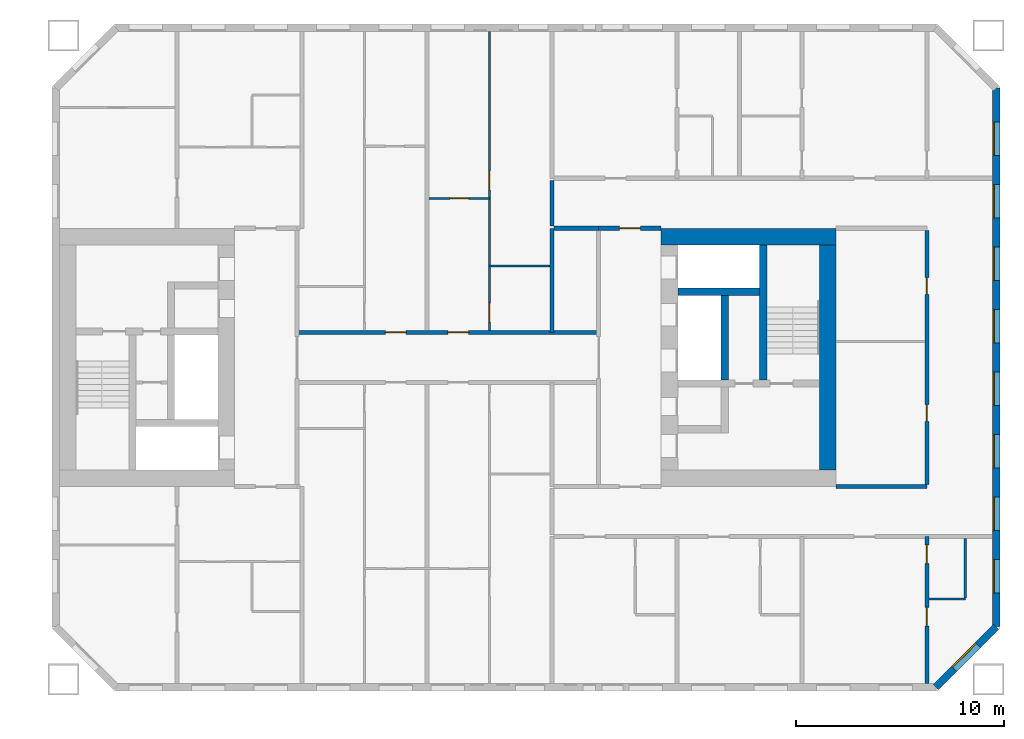
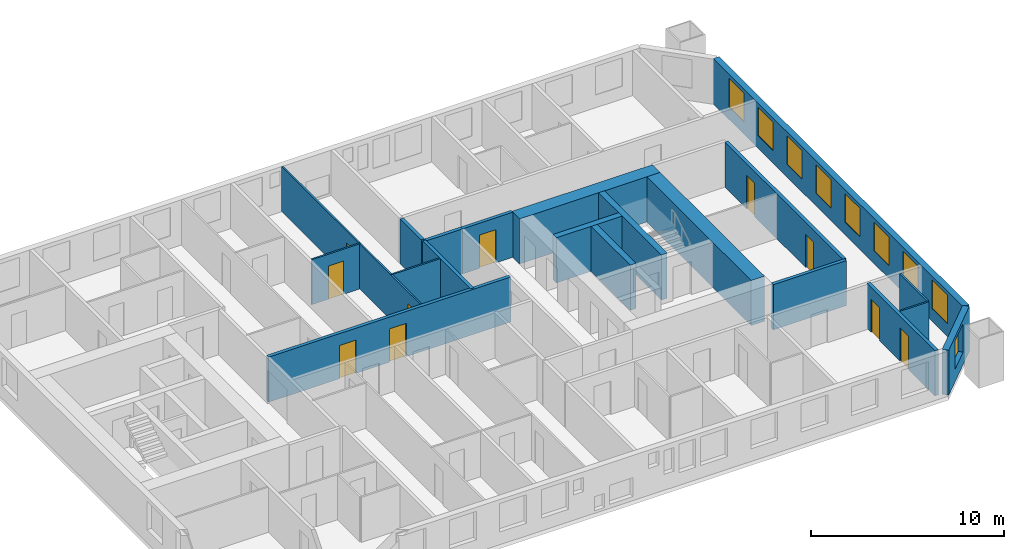
# One storey, part 12 of 16: 20 walls, 10 doors, 9 windows, 19 openings.
"""IFC4 building model written with IfcOpenShell, lengths in metres."""

from ifc_helpers import new_model, si_unit, direction, frame, frame_2d, origin, place, context, subcontext, project, spatial, rectangle, extrude, material, layer, layer_set, type_object, element, fill, save


model = new_model("IFC4")

# Units and contexts
model_context = context("Model", 3, precision=1e-05, world=origin(), true_north=direction((0.0, 1.0)))
body_context = subcontext(model_context, "Body", "Model", "MODEL_VIEW")
ifc_project = project(units=[si_unit("LENGTHUNIT", "METRE"), si_unit("AREAUNIT", "SQUARE_METRE"), si_unit("VOLUMEUNIT", "CUBIC_METRE"), si_unit("PLANEANGLEUNIT", "RADIAN"), si_unit("MASSUNIT", "GRAM", prefix="KILO")], contexts=[model_context])

# Site, building, storey
site_placement = place(None, origin())
site = spatial("IfcSite", under=ifc_project, at=site_placement, CompositionType="ELEMENT")
building_placement = place(site_placement, origin())
building = spatial("IfcBuilding", under=site, at=building_placement, Name="Tuart Gate Housing", CompositionType="ELEMENT")
storey_placement = place(building_placement, frame((0.0, 0.0, 59.800048828125)))
storey = spatial("IfcBuildingStorey", under=building, at=storey_placement, Name="L16", CompositionType="ELEMENT", Elevation=59.800048828125)

# Wall, opening, window
ifc_material_1 = material(Name="Brick", Category="masonry")
ifc_layer_1 = layer(ifc_material_1, 0.360107421875)
ifc_layer_set_1 = layer_set([ifc_layer_1], Name="Brick pier and spandrel wall 360")
wall_type_1 = type_object("IfcWallType", Name="Brick pier and spandrel wall 360", PredefinedType="STANDARD", material=ifc_layer_set_1)
wall_1_placement = place(storey_placement, frame((173.42529296875, 54.179931640625, 0.0), z_axis=(0.0, 0.0, 1.0), x_axis=(0.707106781187, 0.707106781187, 0.0)))
wall_1 = element("IfcWall", 1, at=wall_1_placement, inside=storey, type_object=wall_type_1, Name="External wall B-SE L16", PredefinedType="STANDARD", context=body_context, shape_type="SweptSolid", body=[
    extrude(rectangle(XDim=4.09375, YDim=0.360107421875, at=frame_2d((2.046875, 0.0))), origin(), (0.0, 0.0, 1.0), 2.849853515625),
])
opening_1_placement = place(wall_1_placement, frame((1.2470703125, 0.0, 0.800048828125)))
opening_1 = element("IfcOpeningElement", 2, at=opening_1_placement, cuts=wall_1, Name="Opening W1", PredefinedType="OPENING", context=body_context, shape_type="SweptSolid", body=[
    extrude(rectangle(XDim=1.60009765625, YDim=1.800048828125, at=frame_2d((0.800048828125, 0.89990234375))), frame((0.0, 0.18994140625, 0.0), z_axis=(0.0, -1.0, 0.0), x_axis=(1.0, 0.0, 0.0)), (0.0, 0.0, 1.0), 0.380126953125),
])
ifc_material_2 = material(Name="Aluminium frame with clear glass", Category="aluminium")
window_type = type_object("IfcWindowType", Name="Punched window 1600 x 1800", PartitioningType="SINGLE_PANEL", PredefinedType="WINDOW", material=ifc_material_2)
window_1_placement = place(opening_1_placement, origin())
window_1 = element("IfcWindow", 3, at=window_1_placement, inside=storey, type_object=window_type, Name="Window W1", OverallHeight=1.800048828125, OverallWidth=1.60009765625, PartitioningType="SINGLE_PANEL", PredefinedType="WINDOW", context=body_context, shape_type="SweptSolid", body=[
    extrude(rectangle(XDim=1.60009765625, YDim=1.800048828125, at=frame_2d((0.800048828125, 0.89990234375))), frame((0.0, 0.150146484375, 0.0), z_axis=(0.0, -1.0, 0.0), x_axis=(1.0, 0.0, 0.0)), (0.0, 0.0, 1.0), 0.06005859375),
])
fill(opening_1, window_1)

# Wall, openings, windows
wall_2_placement = place(storey_placement, frame((176.320068359375, 57.07470703125, 0.0), z_axis=(0.0, 0.0, 1.0), x_axis=(0.0, 1.0, 0.0)))
wall_2 = element("IfcWall", 4, at=wall_2_placement, inside=storey, type_object=wall_type_1, Name="External wall B-E L16", PredefinedType="STANDARD", context=body_context, shape_type="SweptSolid", body=[
    extrude(rectangle(XDim=25.850830078125, YDim=0.360107421875, at=frame_2d((12.92529296875, 0.0))), origin(), (0.0, 0.0, 1.0), 2.849853515625),
])
opening_2_placement = place(wall_2_placement, frame((1.62548828125, 0.0, 0.800048828125)))
opening_2 = element("IfcOpeningElement", 5, at=opening_2_placement, cuts=wall_2, Name="Opening W1", PredefinedType="OPENING", context=body_context, shape_type="SweptSolid", body=[
    extrude(rectangle(XDim=1.60009765625, YDim=1.800048828125, at=frame_2d((0.800048828125, 0.89990234375))), frame((0.0, 0.18994140625, 0.0), z_axis=(0.0, -1.0, 0.0), x_axis=(1.0, 0.0, 0.0)), (0.0, 0.0, 1.0), 0.380126953125),
])
opening_3_placement = place(wall_2_placement, frame((4.62548828125, 0.0, 0.800048828125)))
opening_3 = element("IfcOpeningElement", 6, at=opening_3_placement, cuts=wall_2, Name="Opening W1", PredefinedType="OPENING", context=body_context, shape_type="SweptSolid", body=[
    extrude(rectangle(XDim=1.60009765625, YDim=1.800048828125, at=frame_2d((0.800048828125, 0.89990234375))), frame((0.0, 0.18994140625, 0.0), z_axis=(0.0, -1.0, 0.0), x_axis=(1.0, 0.0, 0.0)), (0.0, 0.0, 1.0), 0.380126953125),
])
opening_4_placement = place(wall_2_placement, frame((7.62548828125, 0.0, 0.800048828125)))
opening_4 = element("IfcOpeningElement", 7, at=opening_4_placement, cuts=wall_2, Name="Opening W1", PredefinedType="OPENING", context=body_context, shape_type="SweptSolid", body=[
    extrude(rectangle(XDim=1.60009765625, YDim=1.800048828125, at=frame_2d((0.800048828125, 0.89990234375))), frame((0.0, 0.18994140625, 0.0), z_axis=(0.0, -1.0, 0.0), x_axis=(1.0, 0.0, 0.0)), (0.0, 0.0, 1.0), 0.380126953125),
])
opening_5_placement = place(wall_2_placement, frame((10.62548828125, 0.0, 0.800048828125)))
opening_5 = element("IfcOpeningElement", 8, at=opening_5_placement, cuts=wall_2, Name="Opening W1", PredefinedType="OPENING", context=body_context, shape_type="SweptSolid", body=[
    extrude(rectangle(XDim=1.60009765625, YDim=1.800048828125, at=frame_2d((0.800048828125, 0.89990234375))), frame((0.0, 0.18994140625, 0.0), z_axis=(0.0, -1.0, 0.0), x_axis=(1.0, 0.0, 0.0)), (0.0, 0.0, 1.0), 0.380126953125),
])
opening_6_placement = place(wall_2_placement, frame((13.62548828125, 0.0, 0.800048828125)))
opening_6 = element("IfcOpeningElement", 9, at=opening_6_placement, cuts=wall_2, Name="Opening W1", PredefinedType="OPENING", context=body_context, shape_type="SweptSolid", body=[
    extrude(rectangle(XDim=1.60009765625, YDim=1.800048828125, at=frame_2d((0.800048828125, 0.89990234375))), frame((0.0, 0.18994140625, 0.0), z_axis=(0.0, -1.0, 0.0), x_axis=(1.0, 0.0, 0.0)), (0.0, 0.0, 1.0), 0.380126953125),
])
opening_7_placement = place(wall_2_placement, frame((16.62548828125, 0.0, 0.800048828125)))
opening_7 = element("IfcOpeningElement", 10, at=opening_7_placement, cuts=wall_2, Name="Opening W1", PredefinedType="OPENING", context=body_context, shape_type="SweptSolid", body=[
    extrude(rectangle(XDim=1.60009765625, YDim=1.800048828125, at=frame_2d((0.800048828125, 0.89990234375))), frame((0.0, 0.18994140625, 0.0), z_axis=(0.0, -1.0, 0.0), x_axis=(1.0, 0.0, 0.0)), (0.0, 0.0, 1.0), 0.380126953125),
])
opening_8_placement = place(wall_2_placement, frame((19.62548828125, 0.0, 0.800048828125)))
opening_8 = element("IfcOpeningElement", 11, at=opening_8_placement, cuts=wall_2, Name="Opening W1", PredefinedType="OPENING", context=body_context, shape_type="SweptSolid", body=[
    extrude(rectangle(XDim=1.60009765625, YDim=1.800048828125, at=frame_2d((0.800048828125, 0.89990234375))), frame((0.0, 0.18994140625, 0.0), z_axis=(0.0, -1.0, 0.0), x_axis=(1.0, 0.0, 0.0)), (0.0, 0.0, 1.0), 0.380126953125),
])
opening_9_placement = place(wall_2_placement, frame((22.62548828125, 0.0, 0.800048828125)))
opening_9 = element("IfcOpeningElement", 12, at=opening_9_placement, cuts=wall_2, Name="Opening W1", PredefinedType="OPENING", context=body_context, shape_type="SweptSolid", body=[
    extrude(rectangle(XDim=1.60009765625, YDim=1.800048828125, at=frame_2d((0.800048828125, 0.89990234375))), frame((0.0, 0.18994140625, 0.0), z_axis=(0.0, -1.0, 0.0), x_axis=(1.0, 0.0, 0.0)), (0.0, 0.0, 1.0), 0.380126953125),
])
window_2_placement = place(opening_2_placement, origin())
window_2 = element("IfcWindow", 13, at=window_2_placement, inside=storey, type_object=window_type, Name="Window W1", OverallHeight=1.800048828125, OverallWidth=1.60009765625, PartitioningType="SINGLE_PANEL", PredefinedType="WINDOW", context=body_context, shape_type="SweptSolid", body=[
    extrude(rectangle(XDim=1.60009765625, YDim=1.800048828125, at=frame_2d((0.800048828125, 0.89990234375))), frame((0.0, 0.150146484375, 0.0), z_axis=(0.0, -1.0, 0.0), x_axis=(1.0, 0.0, 0.0)), (0.0, 0.0, 1.0), 0.06005859375),
])
fill(opening_2, window_2)
window_3_placement = place(opening_3_placement, origin())
window_3 = element("IfcWindow", 14, at=window_3_placement, inside=storey, type_object=window_type, Name="Window W1", OverallHeight=1.800048828125, OverallWidth=1.60009765625, PartitioningType="SINGLE_PANEL", PredefinedType="WINDOW", context=body_context, shape_type="SweptSolid", body=[
    extrude(rectangle(XDim=1.60009765625, YDim=1.800048828125, at=frame_2d((0.800048828125, 0.89990234375))), frame((0.0, 0.150146484375, 0.0), z_axis=(0.0, -1.0, 0.0), x_axis=(1.0, 0.0, 0.0)), (0.0, 0.0, 1.0), 0.06005859375),
])
fill(opening_3, window_3)
window_4_placement = place(opening_4_placement, origin())
window_4 = element("IfcWindow", 15, at=window_4_placement, inside=storey, type_object=window_type, Name="Window W1", OverallHeight=1.800048828125, OverallWidth=1.60009765625, PartitioningType="SINGLE_PANEL", PredefinedType="WINDOW", context=body_context, shape_type="SweptSolid", body=[
    extrude(rectangle(XDim=1.60009765625, YDim=1.800048828125, at=frame_2d((0.800048828125, 0.89990234375))), frame((0.0, 0.150146484375, 0.0), z_axis=(0.0, -1.0, 0.0), x_axis=(1.0, 0.0, 0.0)), (0.0, 0.0, 1.0), 0.06005859375),
])
fill(opening_4, window_4)
window_5_placement = place(opening_5_placement, origin())
window_5 = element("IfcWindow", 16, at=window_5_placement, inside=storey, type_object=window_type, Name="Window W1", OverallHeight=1.800048828125, OverallWidth=1.60009765625, PartitioningType="SINGLE_PANEL", PredefinedType="WINDOW", context=body_context, shape_type="SweptSolid", body=[
    extrude(rectangle(XDim=1.60009765625, YDim=1.800048828125, at=frame_2d((0.800048828125, 0.89990234375))), frame((0.0, 0.150146484375, 0.0), z_axis=(0.0, -1.0, 0.0), x_axis=(1.0, 0.0, 0.0)), (0.0, 0.0, 1.0), 0.06005859375),
])
fill(opening_5, window_5)
window_6_placement = place(opening_6_placement, origin())
window_6 = element("IfcWindow", 17, at=window_6_placement, inside=storey, type_object=window_type, Name="Window W1", OverallHeight=1.800048828125, OverallWidth=1.60009765625, PartitioningType="SINGLE_PANEL", PredefinedType="WINDOW", context=body_context, shape_type="SweptSolid", body=[
    extrude(rectangle(XDim=1.60009765625, YDim=1.800048828125, at=frame_2d((0.800048828125, 0.89990234375))), frame((0.0, 0.150146484375, 0.0), z_axis=(0.0, -1.0, 0.0), x_axis=(1.0, 0.0, 0.0)), (0.0, 0.0, 1.0), 0.06005859375),
])
fill(opening_6, window_6)
window_7_placement = place(opening_7_placement, origin())
window_7 = element("IfcWindow", 18, at=window_7_placement, inside=storey, type_object=window_type, Name="Window W1", OverallHeight=1.800048828125, OverallWidth=1.60009765625, PartitioningType="SINGLE_PANEL", PredefinedType="WINDOW", context=body_context, shape_type="SweptSolid", body=[
    extrude(rectangle(XDim=1.60009765625, YDim=1.800048828125, at=frame_2d((0.800048828125, 0.89990234375))), frame((0.0, 0.150146484375, 0.0), z_axis=(0.0, -1.0, 0.0), x_axis=(1.0, 0.0, 0.0)), (0.0, 0.0, 1.0), 0.06005859375),
])
fill(opening_7, window_7)
window_8_placement = place(opening_8_placement, origin())
window_8 = element("IfcWindow", 19, at=window_8_placement, inside=storey, type_object=window_type, Name="Window W1", OverallHeight=1.800048828125, OverallWidth=1.60009765625, PartitioningType="SINGLE_PANEL", PredefinedType="WINDOW", context=body_context, shape_type="SweptSolid", body=[
    extrude(rectangle(XDim=1.60009765625, YDim=1.800048828125, at=frame_2d((0.800048828125, 0.89990234375))), frame((0.0, 0.150146484375, 0.0), z_axis=(0.0, -1.0, 0.0), x_axis=(1.0, 0.0, 0.0)), (0.0, 0.0, 1.0), 0.06005859375),
])
fill(opening_8, window_8)
window_9_placement = place(opening_9_placement, origin())
window_9 = element("IfcWindow", 20, at=window_9_placement, inside=storey, type_object=window_type, Name="Window W1", OverallHeight=1.800048828125, OverallWidth=1.60009765625, PartitioningType="SINGLE_PANEL", PredefinedType="WINDOW", context=body_context, shape_type="SweptSolid", body=[
    extrude(rectangle(XDim=1.60009765625, YDim=1.800048828125, at=frame_2d((0.800048828125, 0.89990234375))), frame((0.0, 0.150146484375, 0.0), z_axis=(0.0, -1.0, 0.0), x_axis=(1.0, 0.0, 0.0)), (0.0, 0.0, 1.0), 0.06005859375),
])
fill(opening_9, window_9)

# Walls
ifc_material_3 = material(Name="Concrete C60", Category="concrete")
ifc_layer_2 = layer(ifc_material_3, 0.35009765625)
ifc_layer_set_2 = layer_set([ifc_layer_2], Name="Core wall 350 C60")
wall_type_2 = type_object("IfcWallType", Name="Core wall 350 C60", PredefinedType="SHEAR", material=ifc_layer_set_2)
wall_3_placement = place(storey_placement, frame((161.0400390625, 73.14990234375, 0.0), z_axis=(0.0, 0.0, 1.0), x_axis=(1.0, 0.0, 0.0)))
element("IfcWall", 21, at=wall_3_placement, inside=storey, type_object=wall_type_2, Name="Core wall BK.1", PredefinedType="SHEAR", context=body_context, shape_type="SweptSolid", body=[
    extrude(rectangle(XDim=3.925048828125, YDim=0.35009765625, at=frame_2d((1.96240234375, 0.0))), origin(), (0.0, 0.0, 1.0), 2.849853515625),
])
wall_4_placement = place(storey_placement, frame((163.2900390625, 72.97509765625, 0.0), z_axis=(0.0, 0.0, 1.0), x_axis=(0.0, -1.0, 0.0)))
element("IfcWall", 22, at=wall_4_placement, inside=storey, type_object=wall_type_2, Name="Core wall BK.4", PredefinedType="SHEAR", context=body_context, shape_type="SweptSolid", body=[
    extrude(rectangle(XDim=4.050048828125, YDim=0.35009765625, at=frame_2d((2.02490234375, 0.0))), origin(), (0.0, 0.0, 1.0), 2.849853515625),
])
wall_5_placement = place(storey_placement, frame((165.139892578125, 75.39990234375, 0.0), z_axis=(0.0, 0.0, 1.0), x_axis=(0.0, -1.0, 0.0)))
element("IfcWall", 23, at=wall_5_placement, inside=storey, type_object=wall_type_2, Name="Core wall BK.6", PredefinedType="SHEAR", context=body_context, shape_type="SweptSolid", body=[
    extrude(rectangle(XDim=6.474853515625, YDim=0.35009765625, at=frame_2d((3.2373046875, 0.0))), origin(), (0.0, 0.0, 1.0), 2.849853515625),
])
ifc_material_4 = material(Name="Concrete C60", Category="concrete")
ifc_layer_3 = layer(ifc_material_4, 0.800048828125)
ifc_layer_set_3 = layer_set([ifc_layer_3], Name="Core wall 800 C60")
wall_type_3 = type_object("IfcWallType", Name="Core wall 800 C60", PredefinedType="SHEAR", material=ifc_layer_set_3)
wall_6_placement = place(storey_placement, frame((168.239990234375, 75.39990234375, 0.0), z_axis=(0.0, 0.0, 1.0), x_axis=(0.0, -1.0, 0.0)))
element("IfcWall", 24, at=wall_6_placement, inside=storey, type_object=wall_type_3, Name="Core wall BK back", PredefinedType="SHEAR", context=body_context, shape_type="SweptSolid", body=[
    extrude(rectangle(XDim=10.7998046875, YDim=0.800048828125, at=frame_2d((5.39990234375, 0.0))), origin(), (0.0, 0.0, 1.0), 2.849853515625),
])
wall_7_placement = place(storey_placement, frame((160.239990234375, 75.800048828125, 0.0), z_axis=(0.0, 0.0, 1.0), x_axis=(1.0, 0.0, 0.0)))
element("IfcWall", 25, at=wall_7_placement, inside=storey, type_object=wall_type_3, Name="Core wall BK south", PredefinedType="SHEAR", context=body_context, shape_type="SweptSolid", body=[
    extrude(rectangle(XDim=8.39990234375, YDim=0.800048828125, at=frame_2d((4.199951171875, 0.0))), origin(), (0.0, 0.0, 1.0), 2.849853515625),
])
ifc_material_5 = material(Name="Concrete masonry 15 MPa", Category="masonry")
ifc_layer_4 = layer(ifc_material_5, 0.199951171875)
ifc_layer_set_4 = layer_set([ifc_layer_4], Name="Corridor wall masonry 200")
wall_type_4 = type_object("IfcWallType", Name="Corridor wall masonry 200", PredefinedType="PARTITIONING", material=ifc_layer_set_4)
wall_8_placement = place(storey_placement, frame((168.639892578125, 63.800048828125, 0.0), z_axis=(0.0, 0.0, 1.0), x_axis=(1.0, 0.0, 0.0)))
element("IfcWall", 26, at=wall_8_placement, inside=storey, type_object=wall_type_4, Name="Corridor wall masonry 200", PredefinedType="PARTITIONING", context=body_context, shape_type="SweptSolid", body=[
    extrude(rectangle(XDim=4.360107421875, YDim=0.199951171875, at=frame_2d((2.18017578125, 0.0))), origin(), (0.0, 0.0, 1.0), 2.849853515625),
])

# Wall, openings, doors
wall_9_placement = place(storey_placement, frame((142.760009765625, 71.199951171875, 0.0), z_axis=(0.0, 0.0, 1.0), x_axis=(1.0, 0.0, 0.0)))
wall_9 = element("IfcWall", 27, at=wall_9_placement, inside=storey, type_object=wall_type_4, Name="Corridor wall masonry 200", PredefinedType="PARTITIONING", context=body_context, shape_type="SweptSolid", body=[
    extrude(rectangle(XDim=14.47998046875, YDim=0.199951171875, at=frame_2d((7.239990234375, 0.0))), origin(), (0.0, 0.0, 1.0), 2.849853515625),
])
opening_10_placement = place(wall_9_placement, frame((4.239990234375, 0.0, 0.0)))
opening_10 = element("IfcOpeningElement", 28, at=opening_10_placement, cuts=wall_9, Name="Opening D799", PredefinedType="OPENING", context=body_context, shape_type="SweptSolid", body=[
    extrude(rectangle(XDim=1.0, YDim=2.10009765625, at=frame_2d((0.5, 1.050048828125))), frame((0.0, 0.10986328125, 0.0), z_axis=(0.0, -1.0, 0.0), x_axis=(1.0, 0.0, 0.0)), (0.0, 0.0, 1.0), 0.219970703125),
])
opening_11_placement = place(wall_9_placement, frame((7.239990234375, 0.0, 0.0)))
opening_11 = element("IfcOpeningElement", 29, at=opening_11_placement, cuts=wall_9, Name="Opening D800", PredefinedType="OPENING", context=body_context, shape_type="SweptSolid", body=[
    extrude(rectangle(XDim=1.0, YDim=2.10009765625, at=frame_2d((0.5, 1.050048828125))), frame((0.0, 0.10986328125, 0.0), z_axis=(0.0, -1.0, 0.0), x_axis=(1.0, 0.0, 0.0)), (0.0, 0.0, 1.0), 0.219970703125),
])
ifc_material_6 = material(Name="Timber door leaf in steel frame", Category="steel")
door_type_1 = type_object("IfcDoorType", Name="Flat entrance door 1000", OperationType="SINGLE_SWING_LEFT", PredefinedType="DOOR", material=ifc_material_6)
door_1_placement = place(opening_10_placement, origin())
door_1 = element("IfcDoor", 30, at=door_1_placement, inside=storey, type_object=door_type_1, Name="Flat entrance door", OperationType="SINGLE_SWING_LEFT", OverallHeight=2.10009765625, OverallWidth=1.0, PredefinedType="DOOR", context=body_context, shape_type="SweptSolid", body=[
    extrude(rectangle(XDim=1.0, YDim=2.10009765625, at=frame_2d((0.5, 1.050048828125))), frame((0.0, 0.02490234375, 0.0), z_axis=(0.0, -1.0, 0.0), x_axis=(1.0, 0.0, 0.0)), (0.0, 0.0, 1.0), 0.050048828125),
])
fill(opening_10, door_1)
door_2_placement = place(opening_11_placement, origin())
door_2 = element("IfcDoor", 31, at=door_2_placement, inside=storey, type_object=door_type_1, Name="Flat entrance door", OperationType="SINGLE_SWING_LEFT", OverallHeight=2.10009765625, OverallWidth=1.0, PredefinedType="DOOR", context=body_context, shape_type="SweptSolid", body=[
    extrude(rectangle(XDim=1.0, YDim=2.10009765625, at=frame_2d((0.5, 1.050048828125))), frame((0.0, 0.02490234375, 0.0), z_axis=(0.0, -1.0, 0.0), x_axis=(1.0, 0.0, 0.0)), (0.0, 0.0, 1.0), 0.050048828125),
])
fill(opening_11, door_2)

# Walls
wall_10_placement = place(storey_placement, frame((155.10009765625, 76.199951171875, 0.0), z_axis=(0.0, 0.0, 1.0), x_axis=(1.0, 0.0, 0.0)))
element("IfcWall", 32, at=wall_10_placement, inside=storey, type_object=wall_type_4, Name="Corridor wall masonry 200", PredefinedType="PARTITIONING", context=body_context, shape_type="SweptSolid", body=[
    extrude(rectangle(XDim=2.139892578125, YDim=0.199951171875, at=frame_2d((1.06982421875, 0.0))), origin(), (0.0, 0.0, 1.0), 2.849853515625),
])
wall_11_placement = place(storey_placement, frame((155.0, 76.300048828125, 0.0), z_axis=(0.0, 0.0, 1.0), x_axis=(0.0, 1.0, 0.0)))
element("IfcWall", 33, at=wall_11_placement, inside=storey, type_object=wall_type_4, Name="Corridor wall masonry 200", PredefinedType="PARTITIONING", context=body_context, shape_type="SweptSolid", body=[
    extrude(rectangle(XDim=2.199951171875, YDim=0.199951171875, at=frame_2d((1.10009765625, 0.0))), origin(), (0.0, 0.0, 1.0), 2.849853515625),
])

# Wall, openings, doors
wall_12_placement = place(storey_placement, frame((173.0, 63.89990234375, 0.0), z_axis=(0.0, 0.0, 1.0), x_axis=(0.0, 1.0, 0.0)))
wall_12 = element("IfcWall", 34, at=wall_12_placement, inside=storey, type_object=wall_type_4, Name="Corridor wall masonry 200", PredefinedType="PARTITIONING", context=body_context, shape_type="SweptSolid", body=[
    extrude(rectangle(XDim=12.2001953125, YDim=0.199951171875, at=frame_2d((6.10009765625, 0.0))), origin(), (0.0, 0.0, 1.0), 2.849853515625),
])
opening_12_placement = place(wall_12_placement, frame((3.034912109375, 0.0, 0.0)))
opening_12 = element("IfcOpeningElement", 35, at=opening_12_placement, cuts=wall_12, Name="Opening D807", PredefinedType="OPENING", context=body_context, shape_type="SweptSolid", body=[
    extrude(rectangle(XDim=0.800048828125, YDim=2.10009765625, at=frame_2d((0.39990234375, 1.050048828125))), frame((0.0, 0.10986328125, 0.0), z_axis=(0.0, -1.0, 0.0), x_axis=(1.0, 0.0, 0.0)), (0.0, 0.0, 1.0), 0.219970703125),
])
opening_13_placement = place(wall_12_placement, frame((9.135009765625, 0.0, 0.0)))
opening_13 = element("IfcOpeningElement", 36, at=opening_13_placement, cuts=wall_12, Name="Opening D808", PredefinedType="OPENING", context=body_context, shape_type="SweptSolid", body=[
    extrude(rectangle(XDim=0.800048828125, YDim=2.10009765625, at=frame_2d((0.39990234375, 1.050048828125))), frame((0.0, 0.10986328125, 0.0), z_axis=(0.0, -1.0, 0.0), x_axis=(1.0, 0.0, 0.0)), (0.0, 0.0, 1.0), 0.219970703125),
])
ifc_material_7 = material(Name="Timber door leaf in steel frame", Category="steel")
door_type_2 = type_object("IfcDoorType", Name="Store door 800", OperationType="SINGLE_SWING_LEFT", PredefinedType="DOOR", material=ifc_material_7)
door_3_placement = place(opening_13_placement, origin())
door_3 = element("IfcDoor", 37, at=door_3_placement, inside=storey, type_object=door_type_2, Name="Store door", OperationType="SINGLE_SWING_LEFT", OverallHeight=2.10009765625, OverallWidth=0.800048828125, PredefinedType="DOOR", context=body_context, shape_type="SweptSolid", body=[
    extrude(rectangle(XDim=0.800048828125, YDim=2.10009765625, at=frame_2d((0.39990234375, 1.050048828125))), frame((0.0, 0.02490234375, 0.0), z_axis=(0.0, -1.0, 0.0), x_axis=(1.0, 0.0, 0.0)), (0.0, 0.0, 1.0), 0.050048828125),
])
fill(opening_13, door_3)
ifc_material_8 = material(Name="Timber door leaf in steel frame", Category="steel")
door_type_3 = type_object("IfcDoorType", Name="Store door 800 RH", OperationType="SINGLE_SWING_RIGHT", PredefinedType="DOOR", material=ifc_material_8)
door_4_placement = place(opening_12_placement, origin())
door_4 = element("IfcDoor", 38, at=door_4_placement, inside=storey, type_object=door_type_3, Name="Store door", OperationType="SINGLE_SWING_RIGHT", OverallHeight=2.10009765625, OverallWidth=0.800048828125, PredefinedType="DOOR", context=body_context, shape_type="SweptSolid", body=[
    extrude(rectangle(XDim=0.800048828125, YDim=2.10009765625, at=frame_2d((0.39990234375, 1.050048828125))), frame((0.0, 0.02490234375, 0.0), z_axis=(0.0, -1.0, 0.0), x_axis=(1.0, 0.0, 0.0)), (0.0, 0.0, 1.0), 0.050048828125),
])
fill(opening_12, door_4)

# Wall, opening, door
ifc_material_9 = material(Name="Concrete masonry 15 MPa", Category="masonry")
ifc_layer_5 = layer(ifc_material_9, 0.199951171875)
ifc_layer_set_5 = layer_set([ifc_layer_5], Name="Enclosure wall masonry 200")
wall_type_5 = type_object("IfcWallType", Name="Enclosure wall masonry 200", PredefinedType="PARTITIONING", material=ifc_layer_set_5)
wall_13_placement = place(storey_placement, frame((157.239990234375, 76.199951171875, 0.0), z_axis=(0.0, 0.0, 1.0), x_axis=(1.0, 0.0, 0.0)))
wall_13 = element("IfcWall", 39, at=wall_13_placement, inside=storey, type_object=wall_type_5, Name="Enclosure wall masonry 200", PredefinedType="PARTITIONING", context=body_context, shape_type="SweptSolid", body=[
    extrude(rectangle(XDim=3.0, YDim=0.199951171875, at=frame_2d((1.5, 0.0))), origin(), (0.0, 0.0, 1.0), 2.849853515625),
])
opening_14_placement = place(wall_13_placement, frame((1.0, 0.0, 0.0)))
opening_14 = element("IfcOpeningElement", 40, at=opening_14_placement, cuts=wall_13, Name="Opening D796", PredefinedType="OPENING", context=body_context, shape_type="SweptSolid", body=[
    extrude(rectangle(XDim=1.0, YDim=2.10009765625, at=frame_2d((0.5, 1.050048828125))), frame((0.0, 0.10986328125, 0.0), z_axis=(0.0, -1.0, 0.0), x_axis=(1.0, 0.0, 0.0)), (0.0, 0.0, 1.0), 0.219970703125),
])
ifc_material_10 = material(Name="Timber door leaf in steel frame", Category="steel")
door_type_4 = type_object("IfcDoorType", Name="Fire door 1000", OperationType="SINGLE_SWING_LEFT", PredefinedType="DOOR", material=ifc_material_10)
door_5_placement = place(opening_14_placement, origin())
door_5 = element("IfcDoor", 41, at=door_5_placement, inside=storey, type_object=door_type_4, Name="Fire door", OperationType="SINGLE_SWING_LEFT", OverallHeight=2.10009765625, OverallWidth=1.0, PredefinedType="DOOR", context=body_context, shape_type="SweptSolid", body=[
    extrude(rectangle(XDim=1.0, YDim=2.10009765625, at=frame_2d((0.5, 1.050048828125))), frame((0.0, 0.02490234375, 0.0), z_axis=(0.0, -1.0, 0.0), x_axis=(1.0, 0.0, 0.0)), (0.0, 0.0, 1.0), 0.050048828125),
])
fill(opening_14, door_5)

# Walls
ifc_material_11 = material(Name="Gypsum board on steel studs", Category="steel")
ifc_layer_6 = layer(ifc_material_11, 0.10009765625)
ifc_layer_set_6 = layer_set([ifc_layer_6], Name="Partition 100")
wall_type_6 = type_object("IfcWallType", Name="Partition 100", PredefinedType="PARTITIONING", material=ifc_layer_set_6)
wall_14_placement = place(storey_placement, frame((173.10009765625, 58.39990234375, 0.0), z_axis=(0.0, 0.0, 1.0), x_axis=(1.0, 0.0, 0.0)))
element("IfcWall", 42, at=wall_14_placement, inside=storey, type_object=wall_type_6, Name="Partition 100", PredefinedType="PARTITIONING", context=body_context, shape_type="SweptSolid", body=[
    extrude(rectangle(XDim=1.739990234375, YDim=0.10009765625, at=frame_2d((0.8701171875, 0.0))), origin(), (0.0, 0.0, 1.0), 2.849853515625),
])
wall_15_placement = place(storey_placement, frame((152.0, 74.39990234375, 0.0), z_axis=(0.0, 0.0, 1.0), x_axis=(1.0, 0.0, 0.0)))
element("IfcWall", 43, at=wall_15_placement, inside=storey, type_object=wall_type_6, Name="Partition 100", PredefinedType="PARTITIONING", context=body_context, shape_type="SweptSolid", body=[
    extrude(rectangle(XDim=2.89990234375, YDim=0.10009765625, at=frame_2d((1.449951171875, 0.0))), origin(), (0.0, 0.0, 1.0), 2.849853515625),
])

# Wall, opening, door
wall_16_placement = place(storey_placement, frame((149.10009765625, 77.639892578125, 0.0), z_axis=(0.0, 0.0, 1.0), x_axis=(1.0, 0.0, 0.0)))
wall_16 = element("IfcWall", 44, at=wall_16_placement, inside=storey, type_object=wall_type_6, Name="Partition 100", PredefinedType="PARTITIONING", context=body_context, shape_type="SweptSolid", body=[
    extrude(rectangle(XDim=2.89990234375, YDim=0.10009765625, at=frame_2d((1.449951171875, 0.0))), origin(), (0.0, 0.0, 1.0), 2.849853515625),
])
opening_15_placement = place(wall_16_placement, frame((1.0, 0.0, 0.0)))
opening_15 = element("IfcOpeningElement", 45, at=opening_15_placement, cuts=wall_16, Name="Opening D794", PredefinedType="OPENING", context=body_context, shape_type="SweptSolid", body=[
    extrude(rectangle(XDim=0.89990234375, YDim=2.10009765625, at=frame_2d((0.449951171875, 1.050048828125))), frame((0.0, 0.06005859375, 0.0), z_axis=(0.0, -1.0, 0.0), x_axis=(1.0, 0.0, 0.0)), (0.0, 0.0, 1.0), 0.1201171875),
])
ifc_material_12 = material(Name="Timber door leaf in steel frame", Category="steel")
door_type_5 = type_object("IfcDoorType", Name="Internal door 900", OperationType="SINGLE_SWING_LEFT", PredefinedType="DOOR", material=ifc_material_12)
door_6_placement = place(opening_15_placement, frame((0.89990234375, 0.0, 0.0), z_axis=(0.0, 0.0, 1.0), x_axis=(-1.0, 0.0, 0.0)))
door_6 = element("IfcDoor", 46, at=door_6_placement, inside=storey, type_object=door_type_5, Name="Internal door", OperationType="SINGLE_SWING_LEFT", OverallHeight=2.10009765625, OverallWidth=0.89990234375, PredefinedType="DOOR", context=body_context, shape_type="SweptSolid", body=[
    extrude(rectangle(XDim=0.89990234375, YDim=2.10009765625, at=frame_2d((0.449951171875, 1.050048828125))), frame((0.0, 0.025146484375, 0.0), z_axis=(0.0, -1.0, 0.0), x_axis=(1.0, 0.0, 0.0)), (0.0, 0.0, 1.0), 0.050048828125),
])
fill(opening_15, door_6)

# Wall, openings, doors
wall_17_placement = place(storey_placement, frame((152.0, 71.300048828125, 0.0), z_axis=(0.0, 0.0, 1.0), x_axis=(0.0, 1.0, 0.0)))
wall_17 = element("IfcWall", 47, at=wall_17_placement, inside=storey, type_object=wall_type_6, Name="Partition 100", PredefinedType="PARTITIONING", context=body_context, shape_type="SweptSolid", body=[
    extrude(rectangle(XDim=14.33984375, YDim=0.10009765625, at=frame_2d((7.169921875, 0.0))), origin(), (0.0, 0.0, 1.0), 2.849853515625),
])
opening_16_placement = place(wall_17_placement, frame((6.739990234375, 0.0, 0.0)))
opening_16 = element("IfcOpeningElement", 48, at=opening_16_placement, cuts=wall_17, Name="Opening D793", PredefinedType="OPENING", context=body_context, shape_type="SweptSolid", body=[
    extrude(rectangle(XDim=0.89990234375, YDim=2.10009765625, at=frame_2d((0.449951171875, 1.050048828125))), frame((0.0, 0.06005859375, 0.0), z_axis=(0.0, -1.0, 0.0), x_axis=(1.0, 0.0, 0.0)), (0.0, 0.0, 1.0), 0.1201171875),
])
opening_17_placement = place(wall_17_placement, frame((0.39990234375, 0.0, 0.0)))
opening_17 = element("IfcOpeningElement", 49, at=opening_17_placement, cuts=wall_17, Name="Opening D792", PredefinedType="OPENING", context=body_context, shape_type="SweptSolid", body=[
    extrude(rectangle(XDim=0.89990234375, YDim=2.10009765625, at=frame_2d((0.449951171875, 1.050048828125))), frame((0.0, 0.06005859375, 0.0), z_axis=(0.0, -1.0, 0.0), x_axis=(1.0, 0.0, 0.0)), (0.0, 0.0, 1.0), 0.1201171875),
])
ifc_material_13 = material(Name="Timber door leaf in steel frame", Category="steel")
door_type_6 = type_object("IfcDoorType", Name="Bathroom door 900 RH", OperationType="SINGLE_SWING_RIGHT", PredefinedType="DOOR", material=ifc_material_13)
door_7_placement = place(opening_17_placement, frame((0.89990234375, 0.0, 0.0), z_axis=(0.0, 0.0, 1.0), x_axis=(-1.0, 0.0, 0.0)))
door_7 = element("IfcDoor", 50, at=door_7_placement, inside=storey, type_object=door_type_6, Name="Bathroom door", OperationType="SINGLE_SWING_RIGHT", OverallHeight=2.10009765625, OverallWidth=0.89990234375, PredefinedType="DOOR", context=body_context, shape_type="SweptSolid", body=[
    extrude(rectangle(XDim=0.89990234375, YDim=2.10009765625, at=frame_2d((0.449951171875, 1.050048828125))), frame((0.0, 0.025146484375, 0.0), z_axis=(0.0, -1.0, 0.0), x_axis=(1.0, 0.0, 0.0)), (0.0, 0.0, 1.0), 0.050048828125),
])
fill(opening_17, door_7)
ifc_material_14 = material(Name="Timber door leaf in steel frame", Category="steel")
door_type_7 = type_object("IfcDoorType", Name="Internal door 900 RH", OperationType="SINGLE_SWING_RIGHT", PredefinedType="DOOR", material=ifc_material_14)
door_8_placement = place(opening_16_placement, frame((0.89990234375, 0.0, 0.0), z_axis=(0.0, 0.0, 1.0), x_axis=(-1.0, 0.0, 0.0)))
door_8 = element("IfcDoor", 51, at=door_8_placement, inside=storey, type_object=door_type_7, Name="Internal door", OperationType="SINGLE_SWING_RIGHT", OverallHeight=2.10009765625, OverallWidth=0.89990234375, PredefinedType="DOOR", context=body_context, shape_type="SweptSolid", body=[
    extrude(rectangle(XDim=0.89990234375, YDim=2.10009765625, at=frame_2d((0.449951171875, 1.050048828125))), frame((0.0, 0.025146484375, 0.0), z_axis=(0.0, -1.0, 0.0), x_axis=(1.0, 0.0, 0.0)), (0.0, 0.0, 1.0), 0.050048828125),
])
fill(opening_16, door_8)

# Walls
wall_18_placement = place(storey_placement, frame((174.840087890625, 58.449951171875, 0.0), z_axis=(0.0, 0.0, 1.0), x_axis=(0.0, 1.0, 0.0)))
element("IfcWall", 52, at=wall_18_placement, inside=storey, type_object=wall_type_6, Name="Partition 100", PredefinedType="PARTITIONING", context=body_context, shape_type="SweptSolid", body=[
    extrude(rectangle(XDim=2.85009765625, YDim=0.10009765625, at=frame_2d((1.425048828125, 0.0))), origin(), (0.0, 0.0, 1.0), 2.849853515625),
])
ifc_material_15 = material(Name="Concrete C40", Category="concrete")
ifc_layer_7 = layer(ifc_material_15, 0.199951171875)
ifc_layer_set_7 = layer_set([ifc_layer_7], Name="Party wall concrete C40 200")
wall_type_7 = type_object("IfcWallType", Name="Party wall concrete C40 200", PredefinedType="SOLIDWALL", material=ifc_layer_set_7)
wall_19_placement = place(storey_placement, frame((155.0, 71.199951171875, 0.0), z_axis=(0.0, 0.0, 1.0), x_axis=(0.0, 1.0, 0.0)))
element("IfcWall", 53, at=wall_19_placement, inside=storey, type_object=wall_type_7, Name="Party wall concrete C40 200", PredefinedType="SOLIDWALL", context=body_context, shape_type="SweptSolid", body=[
    extrude(rectangle(XDim=5.0, YDim=0.199951171875, at=frame_2d((2.5, 0.0))), origin(), (0.0, 0.0, 1.0), 2.849853515625),
])

# Wall, openings, doors
wall_20_placement = place(storey_placement, frame((173.0, 54.360107421875, 0.0), z_axis=(0.0, 0.0, 1.0), x_axis=(0.0, 1.0, 0.0)))
wall_20 = element("IfcWall", 54, at=wall_20_placement, inside=storey, type_object=wall_type_7, Name="Party wall concrete C40 200", PredefinedType="SOLIDWALL", context=body_context, shape_type="SweptSolid", body=[
    extrude(rectangle(XDim=7.039794921875, YDim=0.199951171875, at=frame_2d((3.52001953125, 0.0))), origin(), (0.0, 0.0, 1.0), 2.849853515625),
])
opening_18_placement = place(wall_20_placement, frame((2.739990234375, 0.0, 0.0)))
opening_18 = element("IfcOpeningElement", 55, at=opening_18_placement, cuts=wall_20, Name="Opening D832", PredefinedType="OPENING", context=body_context, shape_type="SweptSolid", body=[
    extrude(rectangle(XDim=0.89990234375, YDim=2.10009765625, at=frame_2d((0.449951171875, 1.050048828125))), frame((0.0, 0.10986328125, 0.0), z_axis=(0.0, -1.0, 0.0), x_axis=(1.0, 0.0, 0.0)), (0.0, 0.0, 1.0), 0.219970703125),
])
opening_19_placement = place(wall_20_placement, frame((5.739990234375, 0.0, 0.0)))
opening_19 = element("IfcOpeningElement", 56, at=opening_19_placement, cuts=wall_20, Name="Opening D831", PredefinedType="OPENING", context=body_context, shape_type="SweptSolid", body=[
    extrude(rectangle(XDim=0.89990234375, YDim=2.10009765625, at=frame_2d((0.449951171875, 1.050048828125))), frame((0.0, 0.10986328125, 0.0), z_axis=(0.0, -1.0, 0.0), x_axis=(1.0, 0.0, 0.0)), (0.0, 0.0, 1.0), 0.219970703125),
])
ifc_material_16 = material(Name="Timber door leaf in steel frame", Category="steel")
door_type_8 = type_object("IfcDoorType", Name="Bathroom door 900", OperationType="SINGLE_SWING_LEFT", PredefinedType="DOOR", material=ifc_material_16)
door_9_placement = place(opening_19_placement, frame((0.89990234375, 0.0, 0.0), z_axis=(0.0, 0.0, 1.0), x_axis=(-1.0, 0.0, 0.0)))
door_9 = element("IfcDoor", 57, at=door_9_placement, inside=storey, type_object=door_type_8, Name="Bathroom door", OperationType="SINGLE_SWING_LEFT", OverallHeight=2.10009765625, OverallWidth=0.89990234375, PredefinedType="DOOR", context=body_context, shape_type="SweptSolid", body=[
    extrude(rectangle(XDim=0.89990234375, YDim=2.10009765625, at=frame_2d((0.449951171875, 1.050048828125))), frame((0.0, 0.025146484375, 0.0), z_axis=(0.0, -1.0, 0.0), x_axis=(1.0, 0.0, 0.0)), (0.0, 0.0, 1.0), 0.050048828125),
])
fill(opening_19, door_9)
door_10_placement = place(opening_18_placement, frame((0.89990234375, 0.0, 0.0), z_axis=(0.0, 0.0, 1.0), x_axis=(-1.0, 0.0, 0.0)))
door_10 = element("IfcDoor", 58, at=door_10_placement, inside=storey, type_object=door_type_5, Name="Internal door", OperationType="SINGLE_SWING_LEFT", OverallHeight=2.10009765625, OverallWidth=0.89990234375, PredefinedType="DOOR", context=body_context, shape_type="SweptSolid", body=[
    extrude(rectangle(XDim=0.89990234375, YDim=2.10009765625, at=frame_2d((0.449951171875, 1.050048828125))), frame((0.0, 0.025146484375, 0.0), z_axis=(0.0, -1.0, 0.0), x_axis=(1.0, 0.0, 0.0)), (0.0, 0.0, 1.0), 0.050048828125),
])
fill(opening_18, door_10)

save(model, "model.ifc")
